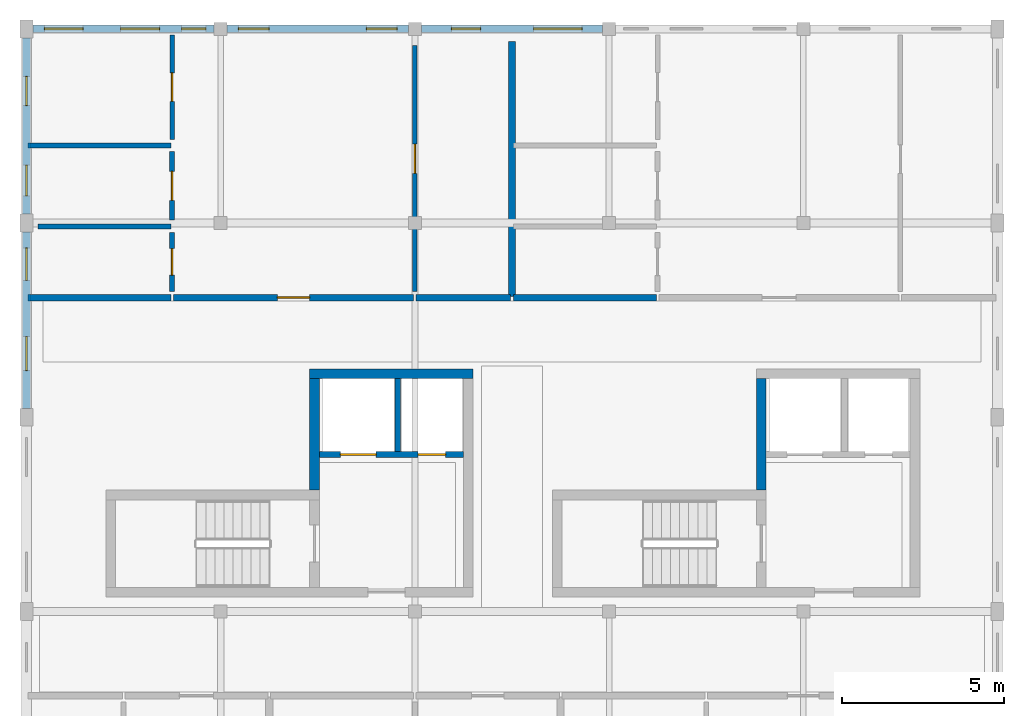
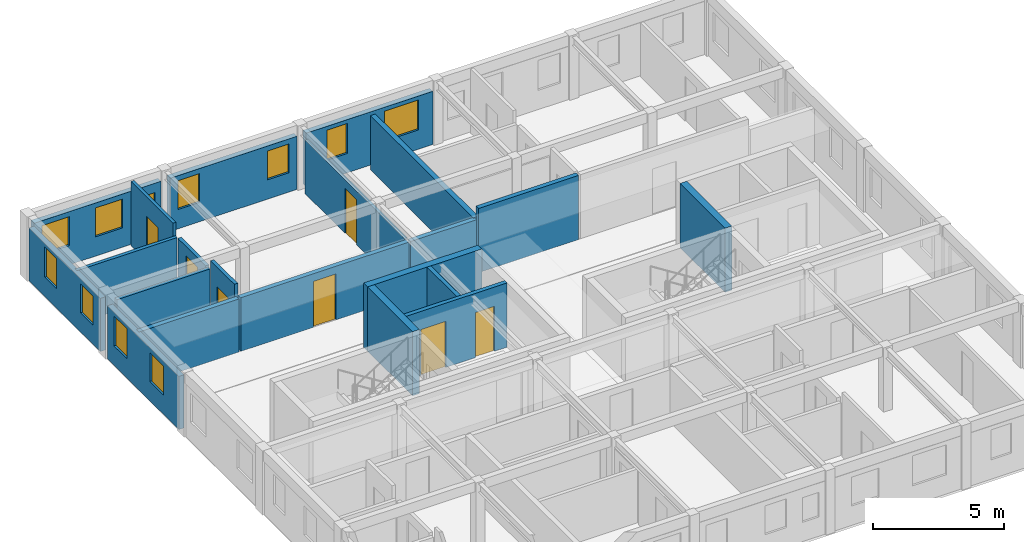
# One storey, part 4 of 7: 21 walls, 11 windows, 7 doors, 18 openings.
"""IFC4 building model written with IfcOpenShell, lengths in metres."""

from ifc_helpers import new_model, si_unit, direction, frame, frame_2d, origin, place, context, subcontext, project, spatial, rectangle, extrude, material, layer, layer_set, type_object, element, fill, save


model = new_model("IFC4")

# Units and contexts
model_context = context("Model", 3, precision=1e-05, world=origin(), true_north=direction((0.0, 1.0)))
body_context = subcontext(model_context, "Body", "Model", "MODEL_VIEW")
ifc_project = project(units=[si_unit("LENGTHUNIT", "METRE"), si_unit("AREAUNIT", "SQUARE_METRE"), si_unit("VOLUMEUNIT", "CUBIC_METRE"), si_unit("PLANEANGLEUNIT", "RADIAN"), si_unit("MASSUNIT", "GRAM", prefix="KILO"), si_unit("POWERUNIT", "WATT"), si_unit("THERMODYNAMICTEMPERATUREUNIT", "KELVIN")], contexts=[model_context])

# Site, building, storey
site_placement = place(None, origin())
site = spatial("IfcSite", under=ifc_project, at=site_placement, CompositionType="ELEMENT")
building_placement = place(site_placement, origin())
building = spatial("IfcBuilding", under=site, at=building_placement, Name="Ruvembo Vaulted Housing Court", CompositionType="ELEMENT")
storey_placement = place(building_placement, frame((0.0, 0.0, 39.699951171875)))
storey = spatial("IfcBuildingStorey", under=building, at=storey_placement, Name="L12", CompositionType="ELEMENT", Elevation=39.699951171875)

# Walls
ifc_material_1 = material(Name="Concrete C35/45", Category="concrete")
ifc_layer_1 = layer(ifc_material_1, 0.300048828125, Name="Concrete C35/45")
ifc_layer_set_1 = layer_set([ifc_layer_1], Name="Concrete C35/45")
wall_type_1 = type_object("IfcWallType", Name="WL-CORE-300", PredefinedType="SHEAR", material=ifc_layer_set_1)
wall_1_placement = place(storey_placement, frame((13.800048828125, 25.35009765625, 0.0), z_axis=(0.0, 0.0, 1.0), x_axis=(-1.0, 0.0, 0.0)))
element("IfcWall", 1, at=wall_1_placement, inside=storey, type_object=wall_type_1, Name="Core A1 L12 North Shear Wall", PredefinedType="SHEAR", context=body_context, shape_type="SweptSolid", body=[
    extrude(rectangle(XDim=5.050048828125, YDim=0.300048828125, at=frame_2d((2.52490234375, 0.0))), origin(), (0.0, 0.0, 1.0), 3.0),
])
for number, where, z_axis, x_axis, name in (
    (2, (8.89990234375, 21.75, 0.0), (0.0, 0.0, 1.0), (0.0, 1.0, 0.0), "Core A1 L12 Upper West Shear Wall"),
    (3, (22.699951171875, 21.75, 0.0), (0.0, 0.0, 1.0), (0.0, 1.0, 0.0), "Core A2 L12 Upper West Shear Wall"),
):
    element("IfcWall", number, at=place(storey_placement, frame(where, z_axis=z_axis, x_axis=x_axis)), inside=storey, type_object=wall_type_1, Name=name, PredefinedType="SHEAR", context=body_context, shape_type="SweptSolid", body=[
        extrude(rectangle(XDim=3.449951171875, YDim=0.300048828125, at=frame_2d((1.72509765625, 0.0))), origin(), (0.0, 0.0, 1.0), 3.0),
    ])
ifc_material_2 = material(Name="Concrete Blockwork 200", Category="masonry")
ifc_layer_2 = layer(ifc_material_2, 0.199951171875, Name="Concrete Blockwork 200")
ifc_layer_set_2 = layer_set([ifc_layer_2], Name="Concrete Blockwork 200")
wall_type_2 = type_object("IfcWallType", Name="WL-CORR-200", PredefinedType="SOLIDWALL", material=ifc_layer_set_2)
wall_2_placement = place(storey_placement, frame((0.0400390625, 27.699951171875, 0.0), z_axis=(0.0, 0.0, 1.0), x_axis=(1.0, 0.0, 0.0)))
element("IfcWall", 4, at=wall_2_placement, inside=storey, type_object=wall_type_2, Name="L12 Flat A-L12-N1 Corridor Wall WL-INT-L12-02332", PredefinedType="SOLIDWALL", context=body_context, shape_type="SweptSolid", body=[
    extrude(rectangle(XDim=4.419921875, YDim=0.199951171875, at=frame_2d((2.2099609375, 0.0))), origin(), (0.0, 0.0, 1.0), 2.48193359375),
])

# Wall, opening, door
wall_3_placement = place(storey_placement, frame((4.5400390625, 27.699951171875, 0.0), z_axis=(0.0, 0.0, 1.0), x_axis=(1.0, 0.0, 0.0)))
wall_3 = element("IfcWall", 5, at=wall_3_placement, inside=storey, type_object=wall_type_2, Name="L12 Flat A-L12-N1 Entrance WL-INT-L12-02333", PredefinedType="SOLIDWALL", context=body_context, shape_type="SweptSolid", body=[
    extrude(rectangle(XDim=7.419921875, YDim=0.199951171875, at=frame_2d((3.7099609375, 0.0))), origin(), (0.0, 0.0, 1.0), 2.508056640625),
])
opening_1_placement = place(wall_3_placement, frame((3.2099609375, 0.0, 0.0)))
opening_1 = element("IfcOpeningElement", 6, at=opening_1_placement, cuts=wall_3, Name="Opening FD1", PredefinedType="OPENING", context=body_context, shape_type="SweptSolid", body=[
    extrude(rectangle(XDim=1.0, YDim=2.14990234375, at=frame_2d((0.5, 1.074951171875))), frame((0.0, 0.10986328125, 0.0), z_axis=(0.0, -1.0, 0.0), x_axis=(1.0, 0.0, 0.0)), (0.0, 0.0, 1.0), 0.219970703125),
])
ifc_material_3 = material(Name="FSC Hardwood and Engineered Timber", Category="wood")
door_type_1 = type_object("IfcDoorType", Name="DR-FLAT-1000x2150", OperationType="NOTDEFINED", PredefinedType="DOOR", material=ifc_material_3)
door_1_placement = place(opening_1_placement, origin())
door_1 = element("IfcDoor", 7, at=door_1_placement, inside=storey, type_object=door_type_1, Name="L12 Flat A-L12-N1 Entrance Door DR-INT-L12-01290", OperationType="SINGLE_SWING_RIGHT", OverallHeight=2.14990234375, OverallWidth=1.0, PredefinedType="DOOR", context=body_context, shape_type="SweptSolid", body=[
    extrude(rectangle(XDim=1.0, YDim=2.14990234375, at=frame_2d((0.5, 1.074951171875))), frame((0.0, 0.02490234375, 0.0), z_axis=(0.0, -1.0, 0.0), x_axis=(1.0, 0.0, 0.0)), (0.0, 0.0, 1.0), 0.050048828125),
])
fill(opening_1, door_1)

# Walls
wall_4_placement = place(storey_placement, frame((12.0400390625, 27.699951171875, 0.0), z_axis=(0.0, 0.0, 1.0), x_axis=(1.0, 0.0, 0.0)))
element("IfcWall", 8, at=wall_4_placement, inside=storey, type_object=wall_type_2, Name="L12 Flat A-L12-N1 Corridor Wall 2 WL-INT-L12-02339", PredefinedType="SOLIDWALL", context=body_context, shape_type="SweptSolid", body=[
    extrude(rectangle(XDim=2.919921875, YDim=0.199951171875, at=frame_2d((1.4599609375, 0.0))), origin(), (0.0, 0.0, 1.0), 2.508056640625),
])
wall_5_placement = place(storey_placement, frame((15.0400390625, 27.699951171875, 0.0), z_axis=(0.0, 0.0, 1.0), x_axis=(1.0, 0.0, 0.0)))
element("IfcWall", 9, at=wall_5_placement, inside=storey, type_object=wall_type_2, Name="L12 Flat A-L12-N2 Corridor Wall WL-INT-L12-02341", PredefinedType="SOLIDWALL", context=body_context, shape_type="SweptSolid", body=[
    extrude(rectangle(XDim=4.419921875, YDim=0.199951171875, at=frame_2d((2.2099609375, 0.0))), origin(), (0.0, 0.0, 1.0), 3.0),
])
ifc_material_4 = material(Name="Acoustic Masonry Demising 220", Category="masonry")
ifc_layer_3 = layer(ifc_material_4, 0.219970703125, Name="Acoustic Masonry Demising 220")
ifc_layer_set_3 = layer_set([ifc_layer_3], Name="Acoustic Masonry Demising 220")
wall_type_3 = type_object("IfcWallType", Name="WL-DEM-200", PredefinedType="SOLIDWALL", material=ifc_layer_set_3)
wall_6_placement = place(storey_placement, frame((15.0, 27.739990234375, 0.0), z_axis=(0.0, 0.0, 1.0), x_axis=(0.0, 1.0, 0.0)))
element("IfcWall", 10, at=wall_6_placement, inside=storey, type_object=wall_type_3, Name="L12 Demising A-L12-N1 WL-INT-L12-02331", PredefinedType="SOLIDWALL", context=body_context, shape_type="SweptSolid", body=[
    extrude(rectangle(XDim=7.8701171875, YDim=0.219970703125, at=frame_2d((3.93505859375, 0.0))), origin(), (0.0, 0.0, 1.0), 2.531982421875),
])

# Wall, openings, windows
ifc_material_5 = material(Name="Rendered Masonry 235", Category="masonry")
ifc_layer_4 = layer(ifc_material_5, 0.235107421875, Name="Rendered Masonry 235")
ifc_layer_set_4 = layer_set([ifc_layer_4], Name="Rendered Masonry 235")
wall_type_4 = type_object("IfcWallType", Name="WL-EXT-235", PredefinedType="STANDARD", material=ifc_layer_set_4)
wall_7_placement = place(storey_placement, frame((17.800048828125, 36.0, 0.0), z_axis=(0.0, 0.0, 1.0), x_axis=(-1.0, 0.0, 0.0)))
wall_7 = element("IfcWall", 11, at=wall_7_placement, inside=storey, type_object=wall_type_4, Name="Block A L12 Exterior Wall COURTYARD #3", PredefinedType="STANDARD", context=body_context, shape_type="SweptSolid", body=[
    extrude(rectangle(XDim=5.60009765625, YDim=0.235107421875, at=frame_2d((2.800048828125, 0.0))), origin(), (0.0, 0.0, 1.0), 2.48193359375),
])
opening_2_placement = place(wall_7_placement, frame((0.6298828125, 0.0, 0.89990234375)))
opening_2 = element("IfcOpeningElement", 12, at=opening_2_placement, cuts=wall_7, Name="Opening W18", PredefinedType="OPENING", context=body_context, shape_type="SweptSolid", body=[
    extrude(rectangle(XDim=1.5, YDim=1.39990234375, at=frame_2d((0.75, 0.699951171875))), frame((0.0, 0.12744140625, 0.0), z_axis=(0.0, -1.0, 0.0), x_axis=(1.0, 0.0, 0.0)), (0.0, 0.0, 1.0), 0.255126953125),
])
opening_3_placement = place(wall_7_placement, frame((3.77001953125, 0.0, 0.89990234375)))
opening_3 = element("IfcOpeningElement", 13, at=opening_3_placement, cuts=wall_7, Name="Opening W05", PredefinedType="OPENING", context=body_context, shape_type="SweptSolid", body=[
    extrude(rectangle(XDim=0.89990234375, YDim=1.39990234375, at=frame_2d((0.449951171875, 0.699951171875))), frame((0.0, 0.12744140625, 0.0), z_axis=(0.0, -1.0, 0.0), x_axis=(1.0, 0.0, 0.0)), (0.0, 0.0, 1.0), 0.255126953125),
])
ifc_material_6 = material(Name="Double Solar-Control Glazing in Aluminium Frame", Category="aluminium")
window_type_1 = type_object("IfcWindowType", Name="WIN-0900x1400", PartitioningType="SINGLE_PANEL", PredefinedType="WINDOW", material=ifc_material_6)
window_1_placement = place(opening_3_placement, origin())
window_1 = element("IfcWindow", 14, at=window_1_placement, inside=storey, type_object=window_type_1, Name="Block A L12 Window #540", OverallHeight=1.39990234375, OverallWidth=0.89990234375, PartitioningType="SINGLE_PANEL", PredefinedType="WINDOW", context=body_context, shape_type="SweptSolid", body=[
    extrude(rectangle(XDim=0.89990234375, YDim=1.39990234375, at=frame_2d((0.449951171875, 0.699951171875))), frame((0.0, 0.030029296875, 0.0), z_axis=(0.0, -1.0, 0.0), x_axis=(1.0, 0.0, 0.0)), (0.0, 0.0, 1.0), 0.06005859375),
])
fill(opening_3, window_1)
window_type_2 = type_object("IfcWindowType", Name="WIN-1500x1400", PartitioningType="SINGLE_PANEL", PredefinedType="WINDOW", material=ifc_material_6)
window_2_placement = place(opening_2_placement, origin())
window_2 = element("IfcWindow", 15, at=window_2_placement, inside=storey, type_object=window_type_2, Name="Block A L12 Window #539", OverallHeight=1.39990234375, OverallWidth=1.5, PartitioningType="SINGLE_PANEL", PredefinedType="WINDOW", context=body_context, shape_type="SweptSolid", body=[
    extrude(rectangle(XDim=1.5, YDim=1.39990234375, at=frame_2d((0.75, 0.699951171875))), frame((0.0, 0.030029296875, 0.0), z_axis=(0.0, -1.0, 0.0), x_axis=(1.0, 0.0, 0.0)), (0.0, 0.0, 1.0), 0.06005859375),
])
fill(opening_2, window_2)

wall_8_placement = place(storey_placement, frame((11.800048828125, 36.0, 0.0), z_axis=(0.0, 0.0, 1.0), x_axis=(-1.0, 0.0, 0.0)))
wall_8 = element("IfcWall", 16, at=wall_8_placement, inside=storey, type_object=wall_type_4, Name="Block A L12 Exterior Wall COURTYARD #4", PredefinedType="STANDARD", context=body_context, shape_type="SweptSolid", body=[
    extrude(rectangle(XDim=5.60009765625, YDim=0.235107421875, at=frame_2d((2.800048828125, 0.0))), origin(), (0.0, 0.0, 1.0), 2.48193359375),
])
opening_4_placement = place(wall_8_placement, frame((0.35009765625, 0.0, 0.89990234375)))
opening_4 = element("IfcOpeningElement", 17, at=opening_4_placement, cuts=wall_8, Name="Opening W07", PredefinedType="OPENING", context=body_context, shape_type="SweptSolid", body=[
    extrude(rectangle(XDim=0.949951171875, YDim=1.35009765625, at=frame_2d((0.47509765625, 0.675048828125))), frame((0.0, 0.12744140625, 0.0), z_axis=(0.0, -1.0, 0.0), x_axis=(1.0, 0.0, 0.0)), (0.0, 0.0, 1.0), 0.255126953125),
])
opening_5_placement = place(wall_8_placement, frame((4.300048828125, 0.0, 0.89990234375)))
opening_5 = element("IfcOpeningElement", 18, at=opening_5_placement, cuts=wall_8, Name="Opening W07", PredefinedType="OPENING", context=body_context, shape_type="SweptSolid", body=[
    extrude(rectangle(XDim=0.949951171875, YDim=1.35009765625, at=frame_2d((0.47509765625, 0.675048828125))), frame((0.0, 0.12744140625, 0.0), z_axis=(0.0, -1.0, 0.0), x_axis=(1.0, 0.0, 0.0)), (0.0, 0.0, 1.0), 0.255126953125),
])
window_type_3 = type_object("IfcWindowType", Name="WIN-0950x1350", PartitioningType="SINGLE_PANEL", PredefinedType="WINDOW", material=ifc_material_6)
window_3_placement = place(opening_4_placement, origin())
window_3 = element("IfcWindow", 19, at=window_3_placement, inside=storey, type_object=window_type_3, Name="Block A L12 Window #541", OverallHeight=1.35009765625, OverallWidth=0.949951171875, PartitioningType="SINGLE_PANEL", PredefinedType="WINDOW", context=body_context, shape_type="SweptSolid", body=[
    extrude(rectangle(XDim=0.949951171875, YDim=1.35009765625, at=frame_2d((0.47509765625, 0.675048828125))), frame((0.0, 0.030029296875, 0.0), z_axis=(0.0, -1.0, 0.0), x_axis=(1.0, 0.0, 0.0)), (0.0, 0.0, 1.0), 0.06005859375),
])
fill(opening_4, window_3)
window_4_placement = place(opening_5_placement, origin())
window_4 = element("IfcWindow", 20, at=window_4_placement, inside=storey, type_object=window_type_3, Name="Block A L12 Window #542", OverallHeight=1.35009765625, OverallWidth=0.949951171875, PartitioningType="SINGLE_PANEL", PredefinedType="WINDOW", context=body_context, shape_type="SweptSolid", body=[
    extrude(rectangle(XDim=0.949951171875, YDim=1.35009765625, at=frame_2d((0.47509765625, 0.675048828125))), frame((0.0, 0.030029296875, 0.0), z_axis=(0.0, -1.0, 0.0), x_axis=(1.0, 0.0, 0.0)), (0.0, 0.0, 1.0), 0.06005859375),
])
fill(opening_5, window_4)

wall_9_placement = place(storey_placement, frame((5.800048828125, 36.0, 0.0), z_axis=(0.0, 0.0, 1.0), x_axis=(-1.0, 0.0, 0.0)))
wall_9 = element("IfcWall", 21, at=wall_9_placement, inside=storey, type_object=wall_type_4, Name="Block A L12 Exterior Wall COURTYARD #5", PredefinedType="STANDARD", context=body_context, shape_type="SweptSolid", body=[
    extrude(rectangle(XDim=5.60009765625, YDim=0.235107421875, at=frame_2d((2.800048828125, 0.0))), origin(), (0.0, 0.0, 1.0), 2.48193359375),
])
opening_6_placement = place(wall_9_placement, frame((0.2548828125, 0.0, 0.89990234375)))
opening_6 = element("IfcOpeningElement", 22, at=opening_6_placement, cuts=wall_9, Name="Opening W01", PredefinedType="OPENING", context=body_context, shape_type="SweptSolid", body=[
    extrude(rectangle(XDim=0.75, YDim=1.14990234375, at=frame_2d((0.375, 0.574951171875))), frame((0.0, 0.12744140625, 0.0), z_axis=(0.0, -1.0, 0.0), x_axis=(1.0, 0.0, 0.0)), (0.0, 0.0, 1.0), 0.255126953125),
])
opening_7_placement = place(wall_9_placement, frame((1.68994140625, 0.0, 0.89990234375)))
opening_7 = element("IfcOpeningElement", 23, at=opening_7_placement, cuts=wall_9, Name="Opening W12", PredefinedType="OPENING", context=body_context, shape_type="SweptSolid", body=[
    extrude(rectangle(XDim=1.199951171875, YDim=1.35009765625, at=frame_2d((0.60009765625, 0.675048828125))), frame((0.0, 0.12744140625, 0.0), z_axis=(0.0, -1.0, 0.0), x_axis=(1.0, 0.0, 0.0)), (0.0, 0.0, 1.0), 0.255126953125),
])
opening_8_placement = place(wall_9_placement, frame((4.050048828125, 0.0, 0.89990234375)))
opening_8 = element("IfcOpeningElement", 24, at=opening_8_placement, cuts=wall_9, Name="Opening W12", PredefinedType="OPENING", context=body_context, shape_type="SweptSolid", body=[
    extrude(rectangle(XDim=1.199951171875, YDim=1.35009765625, at=frame_2d((0.60009765625, 0.675048828125))), frame((0.0, 0.12744140625, 0.0), z_axis=(0.0, -1.0, 0.0), x_axis=(1.0, 0.0, 0.0)), (0.0, 0.0, 1.0), 0.255126953125),
])
window_type_4 = type_object("IfcWindowType", Name="WIN-0750x1150", PartitioningType="SINGLE_PANEL", PredefinedType="WINDOW", material=ifc_material_6)
window_5_placement = place(opening_6_placement, origin())
window_5 = element("IfcWindow", 25, at=window_5_placement, inside=storey, type_object=window_type_4, Name="Block A L12 Window #543", OverallHeight=1.14990234375, OverallWidth=0.75, PartitioningType="SINGLE_PANEL", PredefinedType="WINDOW", context=body_context, shape_type="SweptSolid", body=[
    extrude(rectangle(XDim=0.75, YDim=1.14990234375, at=frame_2d((0.375, 0.574951171875))), frame((0.0, 0.030029296875, 0.0), z_axis=(0.0, -1.0, 0.0), x_axis=(1.0, 0.0, 0.0)), (0.0, 0.0, 1.0), 0.06005859375),
])
fill(opening_6, window_5)
window_type_5 = type_object("IfcWindowType", Name="WIN-1200x1350", PartitioningType="SINGLE_PANEL", PredefinedType="WINDOW", material=ifc_material_6)
window_6_placement = place(opening_7_placement, origin())
window_6 = element("IfcWindow", 26, at=window_6_placement, inside=storey, type_object=window_type_5, Name="Block A L12 Window #544", OverallHeight=1.35009765625, OverallWidth=1.199951171875, PartitioningType="SINGLE_PANEL", PredefinedType="WINDOW", context=body_context, shape_type="SweptSolid", body=[
    extrude(rectangle(XDim=1.199951171875, YDim=1.35009765625, at=frame_2d((0.60009765625, 0.675048828125))), frame((0.0, 0.030029296875, 0.0), z_axis=(0.0, -1.0, 0.0), x_axis=(1.0, 0.0, 0.0)), (0.0, 0.0, 1.0), 0.06005859375),
])
fill(opening_7, window_6)
window_7_placement = place(opening_8_placement, origin())
window_7 = element("IfcWindow", 27, at=window_7_placement, inside=storey, type_object=window_type_5, Name="Block A L12 Window #545", OverallHeight=1.35009765625, OverallWidth=1.199951171875, PartitioningType="SINGLE_PANEL", PredefinedType="WINDOW", context=body_context, shape_type="SweptSolid", body=[
    extrude(rectangle(XDim=1.199951171875, YDim=1.35009765625, at=frame_2d((0.60009765625, 0.675048828125))), frame((0.0, 0.030029296875, 0.0), z_axis=(0.0, -1.0, 0.0), x_axis=(1.0, 0.0, 0.0)), (0.0, 0.0, 1.0), 0.06005859375),
])
fill(opening_8, window_7)

wall_10_placement = place(storey_placement, frame((0.0, 35.72509765625, 0.0), z_axis=(0.0, 0.0, 1.0), x_axis=(0.0, -1.0, 0.0)))
wall_10 = element("IfcWall", 28, at=wall_10_placement, inside=storey, type_object=wall_type_4, Name="Block A L12 Exterior Wall WEST #1", PredefinedType="STANDARD", context=body_context, shape_type="SweptSolid", body=[
    extrude(rectangle(XDim=5.4501953125, YDim=0.235107421875, at=frame_2d((2.72509765625, 0.0))), origin(), (0.0, 0.0, 1.0), 2.48193359375),
])
opening_9_placement = place(wall_10_placement, frame((1.1923828125, 0.0, 0.89990234375)))
opening_9 = element("IfcOpeningElement", 29, at=opening_9_placement, cuts=wall_10, Name="Opening W05", PredefinedType="OPENING", context=body_context, shape_type="SweptSolid", body=[
    extrude(rectangle(XDim=0.89990234375, YDim=1.39990234375, at=frame_2d((0.449951171875, 0.699951171875))), frame((0.0, 0.12744140625, 0.0), z_axis=(0.0, -1.0, 0.0), x_axis=(1.0, 0.0, 0.0)), (0.0, 0.0, 1.0), 0.255126953125),
])
opening_10_placement = place(wall_10_placement, frame((3.9326171875, 0.0, 0.89990234375)))
opening_10 = element("IfcOpeningElement", 30, at=opening_10_placement, cuts=wall_10, Name="Opening W07", PredefinedType="OPENING", context=body_context, shape_type="SweptSolid", body=[
    extrude(rectangle(XDim=0.949951171875, YDim=1.35009765625, at=frame_2d((0.47509765625, 0.675048828125))), frame((0.0, 0.12744140625, 0.0), z_axis=(0.0, -1.0, 0.0), x_axis=(1.0, 0.0, 0.0)), (0.0, 0.0, 1.0), 0.255126953125),
])
window_8_placement = place(opening_9_placement, origin())
window_8 = element("IfcWindow", 31, at=window_8_placement, inside=storey, type_object=window_type_1, Name="Block A L12 Window #546", OverallHeight=1.39990234375, OverallWidth=0.89990234375, PartitioningType="SINGLE_PANEL", PredefinedType="WINDOW", context=body_context, shape_type="SweptSolid", body=[
    extrude(rectangle(XDim=0.89990234375, YDim=1.39990234375, at=frame_2d((0.449951171875, 0.699951171875))), frame((0.0, 0.030029296875, 0.0), z_axis=(0.0, -1.0, 0.0), x_axis=(1.0, 0.0, 0.0)), (0.0, 0.0, 1.0), 0.06005859375),
])
fill(opening_9, window_8)
window_9_placement = place(opening_10_placement, origin())
window_9 = element("IfcWindow", 32, at=window_9_placement, inside=storey, type_object=window_type_3, Name="Block A L12 Window #547", OverallHeight=1.35009765625, OverallWidth=0.949951171875, PartitioningType="SINGLE_PANEL", PredefinedType="WINDOW", context=body_context, shape_type="SweptSolid", body=[
    extrude(rectangle(XDim=0.949951171875, YDim=1.35009765625, at=frame_2d((0.47509765625, 0.675048828125))), frame((0.0, 0.030029296875, 0.0), z_axis=(0.0, -1.0, 0.0), x_axis=(1.0, 0.0, 0.0)), (0.0, 0.0, 1.0), 0.06005859375),
])
fill(opening_10, window_9)

wall_11_placement = place(storey_placement, frame((0.0, 29.72509765625, 0.0), z_axis=(0.0, 0.0, 1.0), x_axis=(0.0, -1.0, 0.0)))
wall_11 = element("IfcWall", 33, at=wall_11_placement, inside=storey, type_object=wall_type_4, Name="Block A L12 Exterior Wall WEST #2", PredefinedType="STANDARD", context=body_context, shape_type="SweptSolid", body=[
    extrude(rectangle(XDim=5.4501953125, YDim=0.235107421875, at=frame_2d((2.72509765625, 0.0))), origin(), (0.0, 0.0, 1.0), 2.48193359375),
])
opening_11_placement = place(wall_11_placement, frame((0.492431640625, 0.0, 0.89990234375)))
opening_11 = element("IfcOpeningElement", 34, at=opening_11_placement, cuts=wall_11, Name="Opening W08", PredefinedType="OPENING", context=body_context, shape_type="SweptSolid", body=[
    extrude(rectangle(XDim=1.0, YDim=1.39990234375, at=frame_2d((0.5, 0.699951171875))), frame((0.0, 0.12744140625, 0.0), z_axis=(0.0, -1.0, 0.0), x_axis=(1.0, 0.0, 0.0)), (0.0, 0.0, 1.0), 0.255126953125),
])
opening_12_placement = place(wall_11_placement, frame((3.232421875, 0.0, 0.89990234375)))
opening_12 = element("IfcOpeningElement", 35, at=opening_12_placement, cuts=wall_11, Name="Opening W09", PredefinedType="OPENING", context=body_context, shape_type="SweptSolid", body=[
    extrude(rectangle(XDim=1.050048828125, YDim=1.35009765625, at=frame_2d((0.52490234375, 0.675048828125))), frame((0.0, 0.12744140625, 0.0), z_axis=(0.0, -1.0, 0.0), x_axis=(1.0, 0.0, 0.0)), (0.0, 0.0, 1.0), 0.255126953125),
])
window_type_6 = type_object("IfcWindowType", Name="WIN-1000x1400", PartitioningType="SINGLE_PANEL", PredefinedType="WINDOW", material=ifc_material_6)
window_10_placement = place(opening_11_placement, origin())
window_10 = element("IfcWindow", 36, at=window_10_placement, inside=storey, type_object=window_type_6, Name="Block A L12 Window #548", OverallHeight=1.39990234375, OverallWidth=1.0, PartitioningType="SINGLE_PANEL", PredefinedType="WINDOW", context=body_context, shape_type="SweptSolid", body=[
    extrude(rectangle(XDim=1.0, YDim=1.39990234375, at=frame_2d((0.5, 0.699951171875))), frame((0.0, 0.030029296875, 0.0), z_axis=(0.0, -1.0, 0.0), x_axis=(1.0, 0.0, 0.0)), (0.0, 0.0, 1.0), 0.06005859375),
])
fill(opening_11, window_10)
window_type_7 = type_object("IfcWindowType", Name="WIN-1050x1350", PartitioningType="SINGLE_PANEL", PredefinedType="WINDOW", material=ifc_material_6)
window_11_placement = place(opening_12_placement, origin())
window_11 = element("IfcWindow", 37, at=window_11_placement, inside=storey, type_object=window_type_7, Name="Block A L12 Window #549", OverallHeight=1.35009765625, OverallWidth=1.050048828125, PartitioningType="SINGLE_PANEL", PredefinedType="WINDOW", context=body_context, shape_type="SweptSolid", body=[
    extrude(rectangle(XDim=1.050048828125, YDim=1.35009765625, at=frame_2d((0.52490234375, 0.675048828125))), frame((0.0, 0.030029296875, 0.0), z_axis=(0.0, -1.0, 0.0), x_axis=(1.0, 0.0, 0.0)), (0.0, 0.0, 1.0), 0.06005859375),
])
fill(opening_12, window_11)

# Wall, opening, door
ifc_material_7 = material(Name="Acoustic Stud Partition 135", Category="gypsum")
ifc_layer_5 = layer(ifc_material_7, 0.135009765625, Name="Acoustic Stud Partition 135")
ifc_layer_set_5 = layer_set([ifc_layer_5], Name="Acoustic Stud Partition 135")
wall_type_5 = type_object("IfcWallType", Name="WL-PART-135", PredefinedType="PARTITIONING", material=ifc_layer_set_5)
wall_12_placement = place(storey_placement, frame((4.5, 32.590087890625, 0.0), z_axis=(0.0, 0.0, 1.0), x_axis=(0.0, 1.0, 0.0)))
wall_12 = element("IfcWall", 38, at=wall_12_placement, inside=storey, type_object=wall_type_5, Name="L12 Flat A-L12-N1 Bedroom 1 WL-INT-L12-02334", PredefinedType="PARTITIONING", context=body_context, shape_type="SweptSolid", body=[
    extrude(rectangle(XDim=3.219970703125, YDim=0.135009765625, at=frame_2d((1.60986328125, 0.0))), origin(), (0.0, 0.0, 1.0), 3.0),
])
opening_13_placement = place(wall_12_placement, frame((1.169921875, 0.0, 0.0)))
opening_13 = element("IfcOpeningElement", 39, at=opening_13_placement, cuts=wall_12, Name="Opening ID3", PredefinedType="OPENING", context=body_context, shape_type="SweptSolid", body=[
    extrude(rectangle(XDim=0.8798828125, YDim=2.10009765625, at=frame_2d((0.43994140625, 1.050048828125))), frame((0.0, 0.077392578125, 0.0), z_axis=(0.0, -1.0, 0.0), x_axis=(1.0, 0.0, 0.0)), (0.0, 0.0, 1.0), 0.155029296875),
])
door_type_2 = type_object("IfcDoorType", Name="DR-ROOM-0880x2100", OperationType="NOTDEFINED", PredefinedType="DOOR", material=ifc_material_3)
door_2_placement = place(opening_13_placement, origin())
door_2 = element("IfcDoor", 40, at=door_2_placement, inside=storey, type_object=door_type_2, Name="L12 Flat A-L12-N1 Bedroom 1 Door DR-INT-L12-01291", OperationType="SINGLE_SWING_LEFT", OverallHeight=2.10009765625, OverallWidth=0.8798828125, PredefinedType="DOOR", context=body_context, shape_type="SweptSolid", body=[
    extrude(rectangle(XDim=0.8798828125, YDim=2.10009765625, at=frame_2d((0.43994140625, 1.050048828125))), frame((0.0, 0.02490234375, 0.0), z_axis=(0.0, -1.0, 0.0), x_axis=(1.0, 0.0, 0.0)), (0.0, 0.0, 1.0), 0.050048828125),
])
fill(opening_13, door_2)

wall_13_placement = place(storey_placement, frame((12.0, 27.889892578125, 0.0), z_axis=(0.0, 0.0, 1.0), x_axis=(0.0, 1.0, 0.0)))
wall_13 = element("IfcWall", 41, at=wall_13_placement, inside=storey, type_object=wall_type_5, Name="L12 Flat A-L12-N1 Bedroom 2 WL-INT-L12-02340", PredefinedType="PARTITIONING", context=body_context, shape_type="SweptSolid", body=[
    extrude(rectangle(XDim=7.60009765625, YDim=0.135009765625, at=frame_2d((3.800048828125, 0.0))), origin(), (0.0, 0.0, 1.0), 2.508056640625),
])
opening_14_placement = place(wall_13_placement, frame((3.64990234375, 0.0, 0.0)))
opening_14 = element("IfcOpeningElement", 42, at=opening_14_placement, cuts=wall_13, Name="Opening ID1", PredefinedType="OPENING", context=body_context, shape_type="SweptSolid", body=[
    extrude(rectangle(XDim=0.89990234375, YDim=2.10009765625, at=frame_2d((0.449951171875, 1.050048828125))), frame((0.0, 0.077392578125, 0.0), z_axis=(0.0, -1.0, 0.0), x_axis=(1.0, 0.0, 0.0)), (0.0, 0.0, 1.0), 0.155029296875),
])
door_type_3 = type_object("IfcDoorType", Name="DR-ROOM-0900x2100", OperationType="NOTDEFINED", PredefinedType="DOOR", material=ifc_material_3)
door_3_placement = place(opening_14_placement, origin())
door_3 = element("IfcDoor", 43, at=door_3_placement, inside=storey, type_object=door_type_3, Name="L12 Flat A-L12-N1 Bedroom 2 Door DR-INT-L12-01294", OperationType="SINGLE_SWING_RIGHT", OverallHeight=2.10009765625, OverallWidth=0.89990234375, PredefinedType="DOOR", context=body_context, shape_type="SweptSolid", body=[
    extrude(rectangle(XDim=0.89990234375, YDim=2.10009765625, at=frame_2d((0.449951171875, 1.050048828125))), frame((0.0, 0.02490234375, 0.0), z_axis=(0.0, -1.0, 0.0), x_axis=(1.0, 0.0, 0.0)), (0.0, 0.0, 1.0), 0.050048828125),
])
fill(opening_14, door_3)

ifc_material_8 = material(Name="Moisture-Resistant Wet Partition 150", Category="gypsum")
ifc_layer_6 = layer(ifc_material_8, 0.14990234375, Name="Moisture-Resistant Wet Partition 150")
ifc_layer_set_6 = layer_set([ifc_layer_6], Name="Moisture-Resistant Wet Partition 150")
wall_type_6 = type_object("IfcWallType", Name="WL-PART-150", PredefinedType="PARTITIONING", material=ifc_layer_set_6)
wall_14_placement = place(storey_placement, frame((4.5, 27.889892578125, 0.0), z_axis=(0.0, 0.0, 1.0), x_axis=(0.0, 1.0, 0.0)))
wall_14 = element("IfcWall", 44, at=wall_14_placement, inside=storey, type_object=wall_type_6, Name="L12 Flat A-L12-N1 Bathroom WL-INT-L12-02336", PredefinedType="PARTITIONING", context=body_context, shape_type="SweptSolid", body=[
    extrude(rectangle(XDim=1.820068359375, YDim=0.14990234375, at=frame_2d((0.91015625, 0.0))), origin(), (0.0, 0.0, 1.0), 3.0),
])
opening_15_placement = place(wall_14_placement, frame((0.5, 0.0, 0.0)))
opening_15 = element("IfcOpeningElement", 45, at=opening_15_placement, cuts=wall_14, Name="Opening ID4", PredefinedType="OPENING", context=body_context, shape_type="SweptSolid", body=[
    extrude(rectangle(XDim=0.820068359375, YDim=2.080078125, at=frame_2d((0.41015625, 1.0400390625))), frame((0.0, 0.0849609375, 0.0), z_axis=(0.0, -1.0, 0.0), x_axis=(1.0, 0.0, 0.0)), (0.0, 0.0, 1.0), 0.169921875),
])
door_type_4 = type_object("IfcDoorType", Name="DR-WET-0820x2080", OperationType="NOTDEFINED", PredefinedType="DOOR", material=ifc_material_3)
door_4_placement = place(opening_15_placement, origin())
door_4 = element("IfcDoor", 46, at=door_4_placement, inside=storey, type_object=door_type_4, Name="L12 Flat A-L12-N1 Bathroom Door DR-INT-L12-01293", OperationType="SINGLE_SWING_LEFT", OverallHeight=2.080078125, OverallWidth=0.820068359375, PredefinedType="DOOR", context=body_context, shape_type="SweptSolid", body=[
    extrude(rectangle(XDim=0.820068359375, YDim=2.080078125, at=frame_2d((0.41015625, 1.0400390625))), frame((0.0, 0.02490234375, 0.0), z_axis=(0.0, -1.0, 0.0), x_axis=(1.0, 0.0, 0.0)), (0.0, 0.0, 1.0), 0.050048828125),
])
fill(opening_15, door_4)

# Walls
wall_15_placement = place(storey_placement, frame((0.0400390625, 32.39990234375, 0.0), z_axis=(0.0, 0.0, 1.0), x_axis=(1.0, 0.0, 0.0)))
element("IfcWall", 47, at=wall_15_placement, inside=storey, type_object=wall_type_6, Name="L12 Flat A-L12-N1 Wet Wall 1 WL-INT-L12-02337", PredefinedType="PARTITIONING", context=body_context, shape_type="SweptSolid", body=[
    extrude(rectangle(XDim=4.419921875, YDim=0.14990234375, at=frame_2d((2.2099609375, 0.0))), origin(), (0.0, 0.0, 1.0), 2.48193359375),
])
wall_16_placement = place(storey_placement, frame((0.360107421875, 29.89990234375, 0.0), z_axis=(0.0, 0.0, 1.0), x_axis=(1.0, 0.0, 0.0)))
element("IfcWall", 48, at=wall_16_placement, inside=storey, type_object=wall_type_6, Name="L12 Flat A-L12-N1 Wet Wall 2 WL-INT-L12-02338", PredefinedType="PARTITIONING", context=body_context, shape_type="SweptSolid", body=[
    extrude(rectangle(XDim=4.099853515625, YDim=0.14990234375, at=frame_2d((2.0498046875, 0.0))), origin(), (0.0, 0.0, 1.0), 2.531982421875),
])

# Wall, opening, door
ifc_material_9 = material(Name="Acoustic Service Chase Wall 160", Category="gypsum")
ifc_layer_7 = layer(ifc_material_9, 0.159912109375, Name="Acoustic Service Chase Wall 160")
ifc_layer_set_7 = layer_set([ifc_layer_7], Name="Acoustic Service Chase Wall 160")
wall_type_7 = type_object("IfcWallType", Name="WL-PLUMB-160", PredefinedType="PLUMBINGWALL", material=ifc_layer_set_7)
wall_17_placement = place(storey_placement, frame((4.5, 30.090087890625, 0.0), z_axis=(0.0, 0.0, 1.0), x_axis=(0.0, 1.0, 0.0)))
wall_17 = element("IfcWall", 49, at=wall_17_placement, inside=storey, type_object=wall_type_7, Name="L12 Flat A-L12-N1 Kitchen WL-INT-L12-02335", PredefinedType="PLUMBINGWALL", context=body_context, shape_type="SweptSolid", body=[
    extrude(rectangle(XDim=2.119873046875, YDim=0.159912109375, at=frame_2d((1.06005859375, 0.0))), origin(), (0.0, 0.0, 1.0), 2.531982421875),
])
opening_16_placement = place(wall_17_placement, frame((0.610107421875, 0.0, 0.0)))
opening_16 = element("IfcOpeningElement", 50, at=opening_16_placement, cuts=wall_17, Name="Opening ID1", PredefinedType="OPENING", context=body_context, shape_type="SweptSolid", body=[
    extrude(rectangle(XDim=0.89990234375, YDim=2.10009765625, at=frame_2d((0.449951171875, 1.050048828125))), frame((0.0, 0.08984375, 0.0), z_axis=(0.0, -1.0, 0.0), x_axis=(1.0, 0.0, 0.0)), (0.0, 0.0, 1.0), 0.179931640625),
])
door_5_placement = place(opening_16_placement, origin())
door_5 = element("IfcDoor", 51, at=door_5_placement, inside=storey, type_object=door_type_3, Name="L12 Flat A-L12-N1 Kitchen Door DR-INT-L12-01292", OperationType="SINGLE_SWING_RIGHT", OverallHeight=2.10009765625, OverallWidth=0.89990234375, PredefinedType="DOOR", context=body_context, shape_type="SweptSolid", body=[
    extrude(rectangle(XDim=0.89990234375, YDim=2.10009765625, at=frame_2d((0.449951171875, 1.050048828125))), frame((0.0, 0.02490234375, 0.0), z_axis=(0.0, -1.0, 0.0), x_axis=(1.0, 0.0, 0.0)), (0.0, 0.0, 1.0), 0.050048828125),
])
fill(opening_16, door_5)

# Wall, openings, doors
ifc_material_10 = material(Name="Fire-Rated Masonry Shaft 180", Category="masonry")
ifc_layer_8 = layer(ifc_material_10, 0.179931640625, Name="Fire-Rated Masonry Shaft 180")
ifc_layer_set_8 = layer_set([ifc_layer_8], Name="Fire-Rated Masonry Shaft 180")
wall_type_8 = type_object("IfcWallType", Name="WL-SHAFT-180", PredefinedType="SOLIDWALL", material=ifc_layer_set_8)
wall_18_placement = place(storey_placement, frame((9.050048828125, 22.85009765625, 0.0), z_axis=(0.0, 0.0, 1.0), x_axis=(1.0, 0.0, 0.0)))
wall_18 = element("IfcWall", 52, at=wall_18_placement, inside=storey, type_object=wall_type_8, Name="Core A1 L12 Lift and Riser Front Wall", PredefinedType="SOLIDWALL", context=body_context, shape_type="SweptSolid", body=[
    extrude(rectangle(XDim=4.449951171875, YDim=0.179931640625, at=frame_2d((2.22509765625, 0.0))), origin(), (0.0, 0.0, 1.0), 3.0),
])
opening_17_placement = place(wall_18_placement, frame((0.64990234375, 0.0, 0.0)))
opening_17 = element("IfcOpeningElement", 53, at=opening_17_placement, cuts=wall_18, Name="Opening LD-FL-A1-L12", PredefinedType="OPENING", context=body_context, shape_type="SweptSolid", body=[
    extrude(rectangle(XDim=1.10009765625, YDim=2.14990234375, at=frame_2d((0.550048828125, 1.074951171875))), frame((0.0, 0.099853515625, 0.0), z_axis=(0.0, -1.0, 0.0), x_axis=(1.0, 0.0, 0.0)), (0.0, 0.0, 1.0), 0.199951171875),
])
opening_18_placement = place(wall_18_placement, frame((3.050048828125, 0.0, 0.0)))
opening_18 = element("IfcOpeningElement", 54, at=opening_18_placement, cuts=wall_18, Name="Opening RD1", PredefinedType="OPENING", context=body_context, shape_type="SweptSolid", body=[
    extrude(rectangle(XDim=0.85009765625, YDim=2.10009765625, at=frame_2d((0.425048828125, 1.050048828125))), frame((0.0, 0.099853515625, 0.0), z_axis=(0.0, -1.0, 0.0), x_axis=(1.0, 0.0, 0.0)), (0.0, 0.0, 1.0), 0.199951171875),
])
ifc_material_11 = material(Name="Brushed Stainless Steel 304", Category="steel")
door_type_5 = type_object("IfcDoorType", Name="DR-LIFT-1100x2150", OperationType="NOTDEFINED", PredefinedType="DOOR", material=ifc_material_11)
door_6_placement = place(opening_17_placement, origin())
door_6 = element("IfcDoor", 55, at=door_6_placement, inside=storey, type_object=door_type_5, Name="Lift FL-A1 L12 Sliding Landing Door", OperationType="SLIDING_TO_LEFT", OverallHeight=2.14990234375, OverallWidth=1.10009765625, PredefinedType="DOOR", context=body_context, shape_type="SweptSolid", body=[
    extrude(rectangle(XDim=1.10009765625, YDim=2.14990234375, at=frame_2d((0.550048828125, 1.074951171875))), frame((0.0, 0.02490234375, 0.0), z_axis=(0.0, -1.0, 0.0), x_axis=(1.0, 0.0, 0.0)), (0.0, 0.0, 1.0), 0.050048828125),
])
fill(opening_17, door_6)
ifc_material_12 = material(Name="Galvanised Painted Steel", Category="steel")
door_type_6 = type_object("IfcDoorType", Name="DR-RISER-0850x2100", OperationType="NOTDEFINED", PredefinedType="DOOR", material=ifc_material_12)
door_7_placement = place(opening_18_placement, frame((0.85009765625, 0.0, 0.0), z_axis=(0.0, 0.0, 1.0), x_axis=(-1.0, 0.0, 0.0)))
door_7 = element("IfcDoor", 56, at=door_7_placement, inside=storey, type_object=door_type_6, Name="Core A1 L12 Service Riser Door", OperationType="SINGLE_SWING_RIGHT", OverallHeight=2.10009765625, OverallWidth=0.85009765625, PredefinedType="DOOR", context=body_context, shape_type="SweptSolid", body=[
    extrude(rectangle(XDim=0.85009765625, YDim=2.10009765625, at=frame_2d((0.425048828125, 1.050048828125))), frame((0.0, 0.02490234375, 0.0), z_axis=(0.0, -1.0, 0.0), x_axis=(1.0, 0.0, 0.0)), (0.0, 0.0, 1.0), 0.050048828125),
])
fill(opening_18, door_7)

# Wall
wall_19_placement = place(storey_placement, frame((11.469970703125, 22.93994140625, 0.0), z_axis=(0.0, 0.0, 1.0), x_axis=(0.0, 1.0, 0.0)))
element("IfcWall", 57, at=wall_19_placement, inside=storey, type_object=wall_type_8, Name="Core A1 L12 Shaft-Riser Divider Wall", PredefinedType="SOLIDWALL", context=body_context, shape_type="SweptSolid", body=[
    extrude(rectangle(XDim=2.260009765625, YDim=0.179931640625, at=frame_2d((1.1298828125, 0.0))), origin(), (0.0, 0.0, 1.0), 3.0),
])

save(model, "model.ifc")
